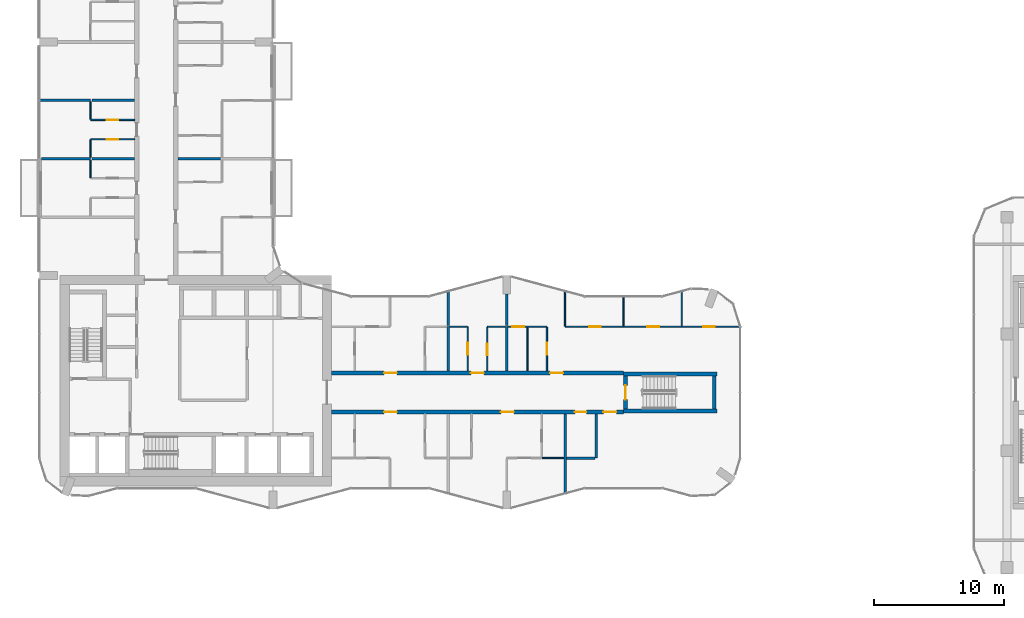
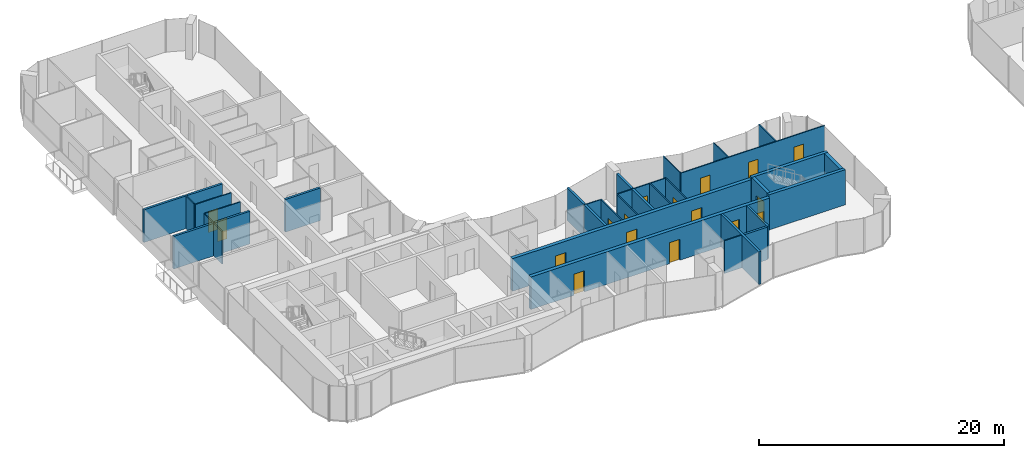
# One storey, part 15 of 23: 35 walls, 17 doors, 17 openings.
"""IFC4 building model written with IfcOpenShell, lengths in metres."""

from ifc_helpers import new_model, si_unit, direction, frame, frame_2d, origin, place, context, subcontext, project, spatial, rectangle, extrude, material, layer, layer_set, type_object, element, fill, save


model = new_model("IFC4")

# Units and contexts
model_context = context("Model", 3, precision=1e-05, world=origin(), true_north=direction((0.0, 1.0)))
body_context = subcontext(model_context, "Body", "Model", "MODEL_VIEW")
ifc_project = project(units=[si_unit("LENGTHUNIT", "METRE"), si_unit("AREAUNIT", "SQUARE_METRE"), si_unit("VOLUMEUNIT", "CUBIC_METRE"), si_unit("PLANEANGLEUNIT", "RADIAN"), si_unit("MASSUNIT", "GRAM", prefix="KILO")], contexts=[model_context])

# Site, building, storey
site_placement = place(None, origin())
site = spatial("IfcSite", under=ifc_project, at=site_placement, CompositionType="ELEMENT")
building_placement = place(site_placement, origin())
building = spatial("IfcBuilding", under=site, at=building_placement, Name="Plateau Cross Towers", CompositionType="ELEMENT")
storey_placement = place(building_placement, frame((0.0, 0.0, 85.300048828125)))
storey = spatial("IfcBuildingStorey", under=building, at=storey_placement, Name="L21", CompositionType="ELEMENT", Elevation=85.300048828125)

# Wall, openings, doors
ifc_material_1 = material(Name="Concrete C60/75", Category="concrete")
ifc_layer_1 = layer(ifc_material_1, 0.324951171875)
ifc_layer_set_1 = layer_set([ifc_layer_1], Name="Concrete C60/75")
wall_type_1 = type_object("IfcWallType", Name="Corridor wall 325", PredefinedType="SHEAR", material=ifc_layer_set_1)
wall_1_placement = place(storey_placement, frame((22.5, 7.5, 0.0), z_axis=(0.0, 0.0, 1.0), x_axis=(1.0, 0.0, 0.0)))
wall_1 = element("IfcWall", 1, at=wall_1_placement, inside=storey, type_object=wall_type_1, Name="A-cw-S1@L21", PredefinedType="SHEAR", context=body_context, shape_type="SweptSolid", body=[
    extrude(rectangle(XDim=22.5, YDim=0.324951171875, at=frame_2d((11.25, 0.0))), origin(), (0.0, 0.0, 1.0), 3.25),
])
opening_1_placement = place(wall_1_placement, frame((4.050048828125, 0.0, 0.0)))
opening_1 = element("IfcOpeningElement", 2, at=opening_1_placement, cuts=wall_1, Name="Opening 21-01", PredefinedType="OPENING", context=body_context, shape_type="SweptSolid", body=[
    extrude(rectangle(XDim=1.0, YDim=2.10009765625, at=frame_2d((0.5, 1.050048828125))), frame((0.0, 0.17236328125, 0.0), z_axis=(0.0, -1.0, 0.0), x_axis=(1.0, 0.0, 0.0)), (0.0, 0.0, 1.0), 0.344970703125),
])
opening_2_placement = place(wall_1_placement, frame((13.050048828125, 0.0, 0.0)))
opening_2 = element("IfcOpeningElement", 3, at=opening_2_placement, cuts=wall_1, Name="Opening 21-02", PredefinedType="OPENING", context=body_context, shape_type="SweptSolid", body=[
    extrude(rectangle(XDim=1.0, YDim=2.10009765625, at=frame_2d((0.5, 1.050048828125))), frame((0.0, 0.17236328125, 0.0), z_axis=(0.0, -1.0, 0.0), x_axis=(1.0, 0.0, 0.0)), (0.0, 0.0, 1.0), 0.344970703125),
])
opening_3_placement = place(wall_1_placement, frame((18.75, 0.0, 0.0)))
opening_3 = element("IfcOpeningElement", 4, at=opening_3_placement, cuts=wall_1, Name="Opening 21-03", PredefinedType="OPENING", context=body_context, shape_type="SweptSolid", body=[
    extrude(rectangle(XDim=0.89990234375, YDim=2.10009765625, at=frame_2d((0.449951171875, 1.050048828125))), frame((0.0, 0.17236328125, 0.0), z_axis=(0.0, -1.0, 0.0), x_axis=(1.0, 0.0, 0.0)), (0.0, 0.0, 1.0), 0.344970703125),
])
opening_4_placement = place(wall_1_placement, frame((20.949951171875, 0.0, 0.0)))
opening_4 = element("IfcOpeningElement", 5, at=opening_4_placement, cuts=wall_1, Name="Opening 21-04", PredefinedType="OPENING", context=body_context, shape_type="SweptSolid", body=[
    extrude(rectangle(XDim=1.0, YDim=2.10009765625, at=frame_2d((0.5, 1.050048828125))), frame((0.0, 0.17236328125, 0.0), z_axis=(0.0, -1.0, 0.0), x_axis=(1.0, 0.0, 0.0)), (0.0, 0.0, 1.0), 0.344970703125),
])
ifc_material_2 = material(Name="Timber, fire-resisting leaf", Category="wood")
door_type_1 = type_object("IfcDoorType", Name="Flat entrance door 1000", OperationType="NOTDEFINED", PredefinedType="DOOR", material=ifc_material_2)
door_1_placement = place(opening_1_placement, origin())
door_1 = element("IfcDoor", 6, at=door_1_placement, inside=storey, type_object=door_type_1, Name="Door 21-01", OperationType="SINGLE_SWING_LEFT", OverallHeight=2.10009765625, OverallWidth=1.0, PredefinedType="DOOR", context=body_context, shape_type="SweptSolid", body=[
    extrude(rectangle(XDim=1.0, YDim=2.10009765625, at=frame_2d((0.5, 1.050048828125))), frame((0.0, 0.02490234375, 0.0), z_axis=(0.0, -1.0, 0.0), x_axis=(1.0, 0.0, 0.0)), (0.0, 0.0, 1.0), 0.050048828125),
])
fill(opening_1, door_1)
door_2_placement = place(opening_2_placement, origin())
door_2 = element("IfcDoor", 7, at=door_2_placement, inside=storey, type_object=door_type_1, Name="Door 21-02", OperationType="SINGLE_SWING_RIGHT", OverallHeight=2.10009765625, OverallWidth=1.0, PredefinedType="DOOR", context=body_context, shape_type="SweptSolid", body=[
    extrude(rectangle(XDim=1.0, YDim=2.10009765625, at=frame_2d((0.5, 1.050048828125))), frame((0.0, 0.02490234375, 0.0), z_axis=(0.0, -1.0, 0.0), x_axis=(1.0, 0.0, 0.0)), (0.0, 0.0, 1.0), 0.050048828125),
])
fill(opening_2, door_2)
door_3_placement = place(opening_4_placement, origin())
door_3 = element("IfcDoor", 8, at=door_3_placement, inside=storey, type_object=door_type_1, Name="Door 21-04", OperationType="SINGLE_SWING_RIGHT", OverallHeight=2.10009765625, OverallWidth=1.0, PredefinedType="DOOR", context=body_context, shape_type="SweptSolid", body=[
    extrude(rectangle(XDim=1.0, YDim=2.10009765625, at=frame_2d((0.5, 1.050048828125))), frame((0.0, 0.02490234375, 0.0), z_axis=(0.0, -1.0, 0.0), x_axis=(1.0, 0.0, 0.0)), (0.0, 0.0, 1.0), 0.050048828125),
])
fill(opening_4, door_3)
door_type_2 = type_object("IfcDoorType", Name="Flat floor service door 900", OperationType="NOTDEFINED", PredefinedType="DOOR", material=ifc_material_2)
door_4_placement = place(opening_3_placement, origin())
door_4 = element("IfcDoor", 9, at=door_4_placement, inside=storey, type_object=door_type_2, Name="Door 21-03", OperationType="SINGLE_SWING_RIGHT", OverallHeight=2.10009765625, OverallWidth=0.89990234375, PredefinedType="DOOR", context=body_context, shape_type="SweptSolid", body=[
    extrude(rectangle(XDim=0.89990234375, YDim=2.10009765625, at=frame_2d((0.449951171875, 1.050048828125))), frame((0.0, 0.02490234375, 0.0), z_axis=(0.0, -1.0, 0.0), x_axis=(1.0, 0.0, 0.0)), (0.0, 0.0, 1.0), 0.050048828125),
])
fill(opening_3, door_4)

wall_2_placement = place(storey_placement, frame((22.5, 10.5, 0.0), z_axis=(0.0, 0.0, 1.0), x_axis=(1.0, 0.0, 0.0)))
wall_2 = element("IfcWall", 10, at=wall_2_placement, inside=storey, type_object=wall_type_1, Name="A-cw-S2@L21", PredefinedType="SHEAR", context=body_context, shape_type="SweptSolid", body=[
    extrude(rectangle(XDim=22.5, YDim=0.324951171875, at=frame_2d((11.25, 0.0))), origin(), (0.0, 0.0, 1.0), 3.25),
])
opening_5_placement = place(wall_2_placement, frame((4.050048828125, 0.0, 0.0)))
opening_5 = element("IfcOpeningElement", 11, at=opening_5_placement, cuts=wall_2, Name="Opening 21-05", PredefinedType="OPENING", context=body_context, shape_type="SweptSolid", body=[
    extrude(rectangle(XDim=1.0, YDim=2.10009765625, at=frame_2d((0.5, 1.050048828125))), frame((0.0, 0.17236328125, 0.0), z_axis=(0.0, -1.0, 0.0), x_axis=(1.0, 0.0, 0.0)), (0.0, 0.0, 1.0), 0.344970703125),
])
opening_6_placement = place(wall_2_placement, frame((10.75, 0.0, 0.0)))
opening_6 = element("IfcOpeningElement", 12, at=opening_6_placement, cuts=wall_2, Name="Opening 21-06", PredefinedType="OPENING", context=body_context, shape_type="SweptSolid", body=[
    extrude(rectangle(XDim=1.0, YDim=2.10009765625, at=frame_2d((0.5, 1.050048828125))), frame((0.0, 0.17236328125, 0.0), z_axis=(0.0, -1.0, 0.0), x_axis=(1.0, 0.0, 0.0)), (0.0, 0.0, 1.0), 0.344970703125),
])
opening_7_placement = place(wall_2_placement, frame((16.85009765625, 0.0, 0.0)))
opening_7 = element("IfcOpeningElement", 13, at=opening_7_placement, cuts=wall_2, Name="Opening 21-07", PredefinedType="OPENING", context=body_context, shape_type="SweptSolid", body=[
    extrude(rectangle(XDim=1.0, YDim=2.10009765625, at=frame_2d((0.5, 1.050048828125))), frame((0.0, 0.17236328125, 0.0), z_axis=(0.0, -1.0, 0.0), x_axis=(1.0, 0.0, 0.0)), (0.0, 0.0, 1.0), 0.344970703125),
])
door_5_placement = place(opening_5_placement, origin())
door_5 = element("IfcDoor", 14, at=door_5_placement, inside=storey, type_object=door_type_1, Name="Door 21-05", OperationType="SINGLE_SWING_LEFT", OverallHeight=2.10009765625, OverallWidth=1.0, PredefinedType="DOOR", context=body_context, shape_type="SweptSolid", body=[
    extrude(rectangle(XDim=1.0, YDim=2.10009765625, at=frame_2d((0.5, 1.050048828125))), frame((0.0, 0.02490234375, 0.0), z_axis=(0.0, -1.0, 0.0), x_axis=(1.0, 0.0, 0.0)), (0.0, 0.0, 1.0), 0.050048828125),
])
fill(opening_5, door_5)
door_6_placement = place(opening_6_placement, origin())
door_6 = element("IfcDoor", 15, at=door_6_placement, inside=storey, type_object=door_type_1, Name="Door 21-06", OperationType="SINGLE_SWING_LEFT", OverallHeight=2.10009765625, OverallWidth=1.0, PredefinedType="DOOR", context=body_context, shape_type="SweptSolid", body=[
    extrude(rectangle(XDim=1.0, YDim=2.10009765625, at=frame_2d((0.5, 1.050048828125))), frame((0.0, 0.02490234375, 0.0), z_axis=(0.0, -1.0, 0.0), x_axis=(1.0, 0.0, 0.0)), (0.0, 0.0, 1.0), 0.050048828125),
])
fill(opening_6, door_6)
door_7_placement = place(opening_7_placement, origin())
door_7 = element("IfcDoor", 16, at=door_7_placement, inside=storey, type_object=door_type_1, Name="Door 21-07", OperationType="SINGLE_SWING_RIGHT", OverallHeight=2.10009765625, OverallWidth=1.0, PredefinedType="DOOR", context=body_context, shape_type="SweptSolid", body=[
    extrude(rectangle(XDim=1.0, YDim=2.10009765625, at=frame_2d((0.5, 1.050048828125))), frame((0.0, 0.02490234375, 0.0), z_axis=(0.0, -1.0, 0.0), x_axis=(1.0, 0.0, 0.0)), (0.0, 0.0, 1.0), 0.050048828125),
])
fill(opening_7, door_7)

# Walls
ifc_material_3 = material(Name="Gypsum board on steel studs", Category="steel")
ifc_layer_2 = layer(ifc_material_3, 0.10009765625)
ifc_layer_set_2 = layer_set([ifc_layer_2], Name="Gypsum board on steel studs")
wall_type_2 = type_object("IfcWallType", Name="Flat partition 100", PredefinedType="PARTITIONING", material=ifc_layer_set_2)
wall_3_placement = place(storey_placement, frame((38.75, 3.9375, 0.0), z_axis=(0.0, 0.0, 1.0), x_axis=(1.0, 0.0, 0.0)))
element("IfcWall", 17, at=wall_3_placement, inside=storey, type_object=wall_type_2, Name="Partition wall", PredefinedType="PARTITIONING", context=body_context, shape_type="SweptSolid", body=[
    extrude(rectangle(XDim=1.64990234375, YDim=0.10009765625, at=frame_2d((0.824951171875, 0.0))), origin(), (0.0, 0.0, 1.0), 3.25),
])
wall_4_placement = place(storey_placement, frame((32.949951171875, 14.0625, 0.0), z_axis=(0.0, 0.0, 1.0), x_axis=(-1.0, 0.0, 0.0)))
element("IfcWall", 18, at=wall_4_placement, inside=storey, type_object=wall_type_2, Name="Partition wall", PredefinedType="PARTITIONING", context=body_context, shape_type="SweptSolid", body=[
    extrude(rectangle(XDim=1.349853515625, YDim=0.10009765625, at=frame_2d((0.6748046875, 0.0))), origin(), (0.0, 0.0, 1.0), 3.25),
])
wall_5_placement = place(storey_placement, frame((35.89990234375, 14.0625, 0.0), z_axis=(0.0, 0.0, 1.0), x_axis=(-1.0, 0.0, 0.0)))
element("IfcWall", 19, at=wall_5_placement, inside=storey, type_object=wall_type_2, Name="Partition wall", PredefinedType="PARTITIONING", context=body_context, shape_type="SweptSolid", body=[
    extrude(rectangle(XDim=1.39990234375, YDim=0.10009765625, at=frame_2d((0.699951171875, 0.0))), origin(), (0.0, 0.0, 1.0), 3.25),
])

# Wall, opening, door
wall_6_placement = place(storey_placement, frame((39.10009765625, 14.0625, 0.0), z_axis=(0.0, 0.0, 1.0), x_axis=(-1.0, 0.0, 0.0)))
wall_6 = element("IfcWall", 20, at=wall_6_placement, inside=storey, type_object=wall_type_2, Name="Partition wall", PredefinedType="PARTITIONING", context=body_context, shape_type="SweptSolid", body=[
    extrude(rectangle(XDim=3.0, YDim=0.10009765625, at=frame_2d((1.5, 0.0))), origin(), (0.0, 0.0, 1.0), 3.25),
])
opening_8_placement = place(wall_6_placement, frame((1.75, 0.0, 0.0)))
opening_8 = element("IfcOpeningElement", 21, at=opening_8_placement, cuts=wall_6, Name="Opening 21-29", PredefinedType="OPENING", context=body_context, shape_type="SweptSolid", body=[
    extrude(rectangle(XDim=0.89990234375, YDim=2.10009765625, at=frame_2d((0.449951171875, 1.050048828125))), frame((0.0, 0.06005859375, 0.0), z_axis=(0.0, -1.0, 0.0), x_axis=(1.0, 0.0, 0.0)), (0.0, 0.0, 1.0), 0.1201171875),
])
ifc_material_4 = material(Name="Timber leaf", Category="wood")
door_type_3 = type_object("IfcDoorType", Name="Flat room door 900", OperationType="NOTDEFINED", PredefinedType="DOOR", material=ifc_material_4)
door_8_placement = place(opening_8_placement, origin())
door_8 = element("IfcDoor", 22, at=door_8_placement, inside=storey, type_object=door_type_3, Name="Door 21-29", OperationType="SINGLE_SWING_RIGHT", OverallHeight=2.10009765625, OverallWidth=0.89990234375, PredefinedType="DOOR", context=body_context, shape_type="SweptSolid", body=[
    extrude(rectangle(XDim=0.89990234375, YDim=2.10009765625, at=frame_2d((0.449951171875, 1.050048828125))), frame((0.0, 0.02490234375, 0.0), z_axis=(0.0, -1.0, 0.0), x_axis=(1.0, 0.0, 0.0)), (0.0, 0.0, 1.0), 0.050048828125),
])
fill(opening_8, door_8)

# Wall, openings, doors
wall_7_placement = place(storey_placement, frame((40.5, 14.0625, 0.0), z_axis=(0.0, 0.0, 1.0), x_axis=(1.0, 0.0, 0.0)))
wall_7 = element("IfcWall", 23, at=wall_7_placement, inside=storey, type_object=wall_type_2, Name="Partition wall", PredefinedType="PARTITIONING", context=body_context, shape_type="SweptSolid", body=[
    extrude(rectangle(XDim=13.580078125, YDim=0.10009765625, at=frame_2d((6.7900390625, 0.0))), origin(), (0.0, 0.0, 1.0), 3.25),
])
opening_9_placement = place(wall_7_placement, frame((1.85009765625, 0.0, 0.0)))
opening_9 = element("IfcOpeningElement", 24, at=opening_9_placement, cuts=wall_7, Name="Opening 21-31", PredefinedType="OPENING", context=body_context, shape_type="SweptSolid", body=[
    extrude(rectangle(XDim=0.89990234375, YDim=2.10009765625, at=frame_2d((0.449951171875, 1.050048828125))), frame((0.0, 0.06005859375, 0.0), z_axis=(0.0, -1.0, 0.0), x_axis=(1.0, 0.0, 0.0)), (0.0, 0.0, 1.0), 0.1201171875),
])
opening_10_placement = place(wall_7_placement, frame((6.35009765625, 0.0, 0.0)))
opening_10 = element("IfcOpeningElement", 25, at=opening_10_placement, cuts=wall_7, Name="Opening 21-32", PredefinedType="OPENING", context=body_context, shape_type="SweptSolid", body=[
    extrude(rectangle(XDim=0.89990234375, YDim=2.10009765625, at=frame_2d((0.449951171875, 1.050048828125))), frame((0.0, 0.06005859375, 0.0), z_axis=(0.0, -1.0, 0.0), x_axis=(1.0, 0.0, 0.0)), (0.0, 0.0, 1.0), 0.1201171875),
])
opening_11_placement = place(wall_7_placement, frame((10.64990234375, 0.0, 0.0)))
opening_11 = element("IfcOpeningElement", 26, at=opening_11_placement, cuts=wall_7, Name="Opening 21-33", PredefinedType="OPENING", context=body_context, shape_type="SweptSolid", body=[
    extrude(rectangle(XDim=0.89990234375, YDim=2.10009765625, at=frame_2d((0.449951171875, 1.050048828125))), frame((0.0, 0.06005859375, 0.0), z_axis=(0.0, -1.0, 0.0), x_axis=(1.0, 0.0, 0.0)), (0.0, 0.0, 1.0), 0.1201171875),
])
door_9_placement = place(opening_9_placement, origin())
door_9 = element("IfcDoor", 27, at=door_9_placement, inside=storey, type_object=door_type_3, Name="Door 21-31", OperationType="SINGLE_SWING_LEFT", OverallHeight=2.10009765625, OverallWidth=0.89990234375, PredefinedType="DOOR", context=body_context, shape_type="SweptSolid", body=[
    extrude(rectangle(XDim=0.89990234375, YDim=2.10009765625, at=frame_2d((0.449951171875, 1.050048828125))), frame((0.0, 0.02490234375, 0.0), z_axis=(0.0, -1.0, 0.0), x_axis=(1.0, 0.0, 0.0)), (0.0, 0.0, 1.0), 0.050048828125),
])
fill(opening_9, door_9)
door_10_placement = place(opening_10_placement, origin())
door_10 = element("IfcDoor", 28, at=door_10_placement, inside=storey, type_object=door_type_3, Name="Door 21-32", OperationType="SINGLE_SWING_RIGHT", OverallHeight=2.10009765625, OverallWidth=0.89990234375, PredefinedType="DOOR", context=body_context, shape_type="SweptSolid", body=[
    extrude(rectangle(XDim=0.89990234375, YDim=2.10009765625, at=frame_2d((0.449951171875, 1.050048828125))), frame((0.0, 0.02490234375, 0.0), z_axis=(0.0, -1.0, 0.0), x_axis=(1.0, 0.0, 0.0)), (0.0, 0.0, 1.0), 0.050048828125),
])
fill(opening_10, door_10)
door_11_placement = place(opening_11_placement, origin())
door_11 = element("IfcDoor", 29, at=door_11_placement, inside=storey, type_object=door_type_3, Name="Door 21-33", OperationType="SINGLE_SWING_RIGHT", OverallHeight=2.10009765625, OverallWidth=0.89990234375, PredefinedType="DOOR", context=body_context, shape_type="SweptSolid", body=[
    extrude(rectangle(XDim=0.89990234375, YDim=2.10009765625, at=frame_2d((0.449951171875, 1.050048828125))), frame((0.0, 0.02490234375, 0.0), z_axis=(0.0, -1.0, 0.0), x_axis=(1.0, 0.0, 0.0)), (0.0, 0.0, 1.0), 0.050048828125),
])
fill(opening_11, door_11)

# Wall, opening, door
wall_8_placement = place(storey_placement, frame((7.33740234375, 28.5, 0.0), z_axis=(0.0, 0.0, 1.0), x_axis=(-1.0, 0.0, 0.0)))
wall_8 = element("IfcWall", 30, at=wall_8_placement, inside=storey, type_object=wall_type_2, Name="Partition wall", PredefinedType="PARTITIONING", context=body_context, shape_type="SweptSolid", body=[
    extrude(rectangle(XDim=3.39990234375, YDim=0.10009765625, at=frame_2d((1.699951171875, 0.0))), origin(), (0.0, 0.0, 1.0), 3.25),
])
opening_12_placement = place(wall_8_placement, frame((1.25, 0.0, 0.0)))
opening_12 = element("IfcOpeningElement", 31, at=opening_12_placement, cuts=wall_8, Name="Opening 21-36", PredefinedType="OPENING", context=body_context, shape_type="SweptSolid", body=[
    extrude(rectangle(XDim=0.89990234375, YDim=2.10009765625, at=frame_2d((0.449951171875, 1.050048828125))), frame((0.0, 0.06005859375, 0.0), z_axis=(0.0, -1.0, 0.0), x_axis=(1.0, 0.0, 0.0)), (0.0, 0.0, 1.0), 0.1201171875),
])
door_12_placement = place(opening_12_placement, origin())
door_12 = element("IfcDoor", 32, at=door_12_placement, inside=storey, type_object=door_type_3, Name="Door 21-36", OperationType="SINGLE_SWING_LEFT", OverallHeight=2.10009765625, OverallWidth=0.89990234375, PredefinedType="DOOR", context=body_context, shape_type="SweptSolid", body=[
    extrude(rectangle(XDim=0.89990234375, YDim=2.10009765625, at=frame_2d((0.449951171875, 1.050048828125))), frame((0.0, 0.02490234375, 0.0), z_axis=(0.0, -1.0, 0.0), x_axis=(1.0, 0.0, 0.0)), (0.0, 0.0, 1.0), 0.050048828125),
])
fill(opening_12, door_12)

wall_9_placement = place(storey_placement, frame((3.9375, 30.0, 0.0), z_axis=(0.0, 0.0, 1.0), x_axis=(1.0, 0.0, 0.0)))
wall_9 = element("IfcWall", 33, at=wall_9_placement, inside=storey, type_object=wall_type_2, Name="Partition wall", PredefinedType="PARTITIONING", context=body_context, shape_type="SweptSolid", body=[
    extrude(rectangle(XDim=3.39990234375, YDim=0.10009765625, at=frame_2d((1.699951171875, 0.0))), origin(), (0.0, 0.0, 1.0), 3.25),
])
opening_13_placement = place(wall_9_placement, frame((1.25, 0.0, 0.0)))
opening_13 = element("IfcOpeningElement", 34, at=opening_13_placement, cuts=wall_9, Name="Opening 21-37", PredefinedType="OPENING", context=body_context, shape_type="SweptSolid", body=[
    extrude(rectangle(XDim=0.89990234375, YDim=2.10009765625, at=frame_2d((0.449951171875, 1.050048828125))), frame((0.0, 0.06005859375, 0.0), z_axis=(0.0, -1.0, 0.0), x_axis=(1.0, 0.0, 0.0)), (0.0, 0.0, 1.0), 0.1201171875),
])
door_13_placement = place(opening_13_placement, origin())
door_13 = element("IfcDoor", 35, at=door_13_placement, inside=storey, type_object=door_type_3, Name="Door 21-37", OperationType="SINGLE_SWING_LEFT", OverallHeight=2.10009765625, OverallWidth=0.89990234375, PredefinedType="DOOR", context=body_context, shape_type="SweptSolid", body=[
    extrude(rectangle(XDim=0.89990234375, YDim=2.10009765625, at=frame_2d((0.449951171875, 1.050048828125))), frame((0.0, 0.02490234375, 0.0), z_axis=(0.0, -1.0, 0.0), x_axis=(1.0, 0.0, 0.0)), (0.0, 0.0, 1.0), 0.050048828125),
])
fill(opening_13, door_13)

# Walls
for number, where, z_axis, x_axis, name in (
    (36, (3.9375, 26.89990234375, 0.0), (0.0, 0.0, 1.0), (0.0, -1.0, 0.0), "Partition wall"),
    (37, (3.9375, 28.449951171875, 0.0), (0.0, 0.0, 1.0), (0.0, -1.0, 0.0), "Partition wall"),
    (38, (3.9375, 31.39990234375, 0.0), (0.0, 0.0, 1.0), (0.0, -1.0, 0.0), "Partition wall"),
):
    element("IfcWall", number, at=place(storey_placement, frame(where, z_axis=z_axis, x_axis=x_axis)), inside=storey, type_object=wall_type_2, Name=name, PredefinedType="PARTITIONING", context=body_context, shape_type="SweptSolid", body=[
        extrude(rectangle(XDim=1.349853515625, YDim=0.10009765625, at=frame_2d((0.6748046875, 0.0))), origin(), (0.0, 0.0, 1.0), 3.25),
    ])

# Wall, opening, door
wall_10_placement = place(storey_placement, frame((33.0, 10.66259765625, 0.0), z_axis=(0.0, 0.0, 1.0), x_axis=(0.0, 1.0, 0.0)))
wall_10 = element("IfcWall", 39, at=wall_10_placement, inside=storey, type_object=wall_type_2, Name="Partition wall", PredefinedType="PARTITIONING", context=body_context, shape_type="SweptSolid", body=[
    extrude(rectangle(XDim=3.39990234375, YDim=0.10009765625, at=frame_2d((1.699951171875, 0.0))), origin(), (0.0, 0.0, 1.0), 3.25),
])
opening_14_placement = place(wall_10_placement, frame((1.25, 0.0, 0.0)))
opening_14 = element("IfcOpeningElement", 40, at=opening_14_placement, cuts=wall_10, Name="Opening 21-27", PredefinedType="OPENING", context=body_context, shape_type="SweptSolid", body=[
    extrude(rectangle(XDim=0.89990234375, YDim=2.10009765625, at=frame_2d((0.449951171875, 1.050048828125))), frame((0.0, 0.06005859375, 0.0), z_axis=(0.0, -1.0, 0.0), x_axis=(1.0, 0.0, 0.0)), (0.0, 0.0, 1.0), 0.1201171875),
])
door_14_placement = place(opening_14_placement, origin())
door_14 = element("IfcDoor", 41, at=door_14_placement, inside=storey, type_object=door_type_3, Name="Door 21-27", OperationType="SINGLE_SWING_LEFT", OverallHeight=2.10009765625, OverallWidth=0.89990234375, PredefinedType="DOOR", context=body_context, shape_type="SweptSolid", body=[
    extrude(rectangle(XDim=0.89990234375, YDim=2.10009765625, at=frame_2d((0.449951171875, 1.050048828125))), frame((0.0, 0.02490234375, 0.0), z_axis=(0.0, -1.0, 0.0), x_axis=(1.0, 0.0, 0.0)), (0.0, 0.0, 1.0), 0.050048828125),
])
fill(opening_14, door_14)

wall_11_placement = place(storey_placement, frame((34.5, 14.012451171875, 0.0), z_axis=(0.0, 0.0, 1.0), x_axis=(0.0, -1.0, 0.0)))
wall_11 = element("IfcWall", 42, at=wall_11_placement, inside=storey, type_object=wall_type_2, Name="Partition wall", PredefinedType="PARTITIONING", context=body_context, shape_type="SweptSolid", body=[
    extrude(rectangle(XDim=3.349853515625, YDim=0.10009765625, at=frame_2d((1.6748046875, 0.0))), origin(), (0.0, 0.0, 1.0), 3.25),
])
opening_15_placement = place(wall_11_placement, frame((1.25, 0.0, 0.0)))
opening_15 = element("IfcOpeningElement", 43, at=opening_15_placement, cuts=wall_11, Name="Opening 21-28", PredefinedType="OPENING", context=body_context, shape_type="SweptSolid", body=[
    extrude(rectangle(XDim=0.89990234375, YDim=2.10009765625, at=frame_2d((0.449951171875, 1.050048828125))), frame((0.0, 0.06005859375, 0.0), z_axis=(0.0, -1.0, 0.0), x_axis=(1.0, 0.0, 0.0)), (0.0, 0.0, 1.0), 0.1201171875),
])
door_15_placement = place(opening_15_placement, origin())
door_15 = element("IfcDoor", 44, at=door_15_placement, inside=storey, type_object=door_type_3, Name="Door 21-28", OperationType="SINGLE_SWING_RIGHT", OverallHeight=2.10009765625, OverallWidth=0.89990234375, PredefinedType="DOOR", context=body_context, shape_type="SweptSolid", body=[
    extrude(rectangle(XDim=0.89990234375, YDim=2.10009765625, at=frame_2d((0.449951171875, 1.050048828125))), frame((0.0, 0.02490234375, 0.0), z_axis=(0.0, -1.0, 0.0), x_axis=(1.0, 0.0, 0.0)), (0.0, 0.0, 1.0), 0.050048828125),
])
fill(opening_15, door_15)

# Wall
wall_12_placement = place(storey_placement, frame((37.60009765625, 10.66259765625, 0.0), z_axis=(0.0, 0.0, 1.0), x_axis=(0.0, 1.0, 0.0)))
element("IfcWall", 45, at=wall_12_placement, inside=storey, type_object=wall_type_2, Name="Partition wall", PredefinedType="PARTITIONING", context=body_context, shape_type="SweptSolid", body=[
    extrude(rectangle(XDim=3.349853515625, YDim=0.10009765625, at=frame_2d((1.6748046875, 0.0))), origin(), (0.0, 0.0, 1.0), 3.25),
])

# Wall, opening, door
wall_13_placement = place(storey_placement, frame((39.10009765625, 10.66259765625, 0.0), z_axis=(0.0, 0.0, 1.0), x_axis=(0.0, 1.0, 0.0)))
wall_13 = element("IfcWall", 46, at=wall_13_placement, inside=storey, type_object=wall_type_2, Name="Partition wall", PredefinedType="PARTITIONING", context=body_context, shape_type="SweptSolid", body=[
    extrude(rectangle(XDim=3.349853515625, YDim=0.10009765625, at=frame_2d((1.6748046875, 0.0))), origin(), (0.0, 0.0, 1.0), 3.25),
])
opening_16_placement = place(wall_13_placement, frame((1.25, 0.0, 0.0)))
opening_16 = element("IfcOpeningElement", 47, at=opening_16_placement, cuts=wall_13, Name="Opening 21-30", PredefinedType="OPENING", context=body_context, shape_type="SweptSolid", body=[
    extrude(rectangle(XDim=0.89990234375, YDim=2.10009765625, at=frame_2d((0.449951171875, 1.050048828125))), frame((0.0, 0.06005859375, 0.0), z_axis=(0.0, -1.0, 0.0), x_axis=(1.0, 0.0, 0.0)), (0.0, 0.0, 1.0), 0.1201171875),
])
door_16_placement = place(opening_16_placement, origin())
door_16 = element("IfcDoor", 48, at=door_16_placement, inside=storey, type_object=door_type_3, Name="Door 21-30", OperationType="SINGLE_SWING_RIGHT", OverallHeight=2.10009765625, OverallWidth=0.89990234375, PredefinedType="DOOR", context=body_context, shape_type="SweptSolid", body=[
    extrude(rectangle(XDim=0.89990234375, YDim=2.10009765625, at=frame_2d((0.449951171875, 1.050048828125))), frame((0.0, 0.02490234375, 0.0), z_axis=(0.0, -1.0, 0.0), x_axis=(1.0, 0.0, 0.0)), (0.0, 0.0, 1.0), 0.050048828125),
])
fill(opening_16, door_16)

# Walls
wall_14_placement = place(storey_placement, frame((40.5, 16.877685546875, 0.0), z_axis=(0.0, 0.0, 1.0), x_axis=(0.0, -1.0, 0.0)))
element("IfcWall", 49, at=wall_14_placement, inside=storey, type_object=wall_type_2, Name="Partition wall", PredefinedType="PARTITIONING", context=body_context, shape_type="SweptSolid", body=[
    extrude(rectangle(XDim=2.76513671875, YDim=0.10009765625, at=frame_2d((1.382568359375, 0.0))), origin(), (0.0, 0.0, 1.0), 3.25),
])
wall_15_placement = place(storey_placement, frame((45.0, 14.112548828125, 0.0), z_axis=(0.0, 0.0, 1.0), x_axis=(0.0, 1.0, 0.0)))
element("IfcWall", 50, at=wall_15_placement, inside=storey, type_object=wall_type_2, Name="Partition wall", PredefinedType="PARTITIONING", context=body_context, shape_type="SweptSolid", body=[
    extrude(rectangle(XDim=2.360595703125, YDim=0.10009765625, at=frame_2d((1.18017578125, 0.0))), origin(), (0.0, 0.0, 1.0), 3.25),
])
wall_16_placement = place(storey_placement, frame((49.5, 14.112548828125, 0.0), z_axis=(0.0, 0.0, 1.0), x_axis=(0.0, 1.0, 0.0)))
element("IfcWall", 51, at=wall_16_placement, inside=storey, type_object=wall_type_2, Name="Partition wall", PredefinedType="PARTITIONING", context=body_context, shape_type="SweptSolid", body=[
    extrude(rectangle(XDim=2.76513671875, YDim=0.10009765625, at=frame_2d((1.382568359375, 0.0))), origin(), (0.0, 0.0, 1.0), 3.25),
])
ifc_material_5 = material(Name="Gypsum board on steel studs, two layers each side", Category="steel")
ifc_layer_3 = layer(ifc_material_5, 0.199951171875)
ifc_layer_set_3 = layer_set([ifc_layer_3], Name="Gypsum board on steel studs, two layers each side")
wall_type_3 = type_object("IfcWallType", Name="Flat party wall 200", PredefinedType="PARTITIONING", material=ifc_layer_set_3)
wall_17_placement = place(storey_placement, frame((40.60009765625, 3.9375, 0.0), z_axis=(0.0, 0.0, 1.0), x_axis=(1.0, 0.0, 0.0)))
element("IfcWall", 52, at=wall_17_placement, inside=storey, type_object=wall_type_3, Name="Party wall", PredefinedType="PARTITIONING", context=body_context, shape_type="SweptSolid", body=[
    extrude(rectangle(XDim=2.199951171875, YDim=0.199951171875, at=frame_2d((1.10009765625, 0.0))), origin(), (0.0, 0.0, 1.0), 3.25),
])
for number, where, z_axis, x_axis, name in (
    (53, (7.33740234375, 27.0, 0.0), (0.0, 0.0, 1.0), (-1.0, 0.0, 0.0), "Party wall"),
    (54, (13.96240234375, 27.0, 0.0), (0.0, 0.0, 1.0), (-1.0, 0.0, 0.0), "Party wall"),
):
    element("IfcWall", number, at=place(storey_placement, frame(where, z_axis=z_axis, x_axis=x_axis)), inside=storey, type_object=wall_type_3, Name=name, PredefinedType="PARTITIONING", context=body_context, shape_type="SweptSolid", body=[
        extrude(rectangle(XDim=3.2998046875, YDim=0.199951171875, at=frame_2d((1.64990234375, 0.0))), origin(), (0.0, 0.0, 1.0), 3.25),
    ])
wall_18_placement = place(storey_placement, frame((0.14990234375, 27.0, 0.0), z_axis=(0.0, 0.0, 1.0), x_axis=(1.0, 0.0, 0.0)))
element("IfcWall", 55, at=wall_18_placement, inside=storey, type_object=wall_type_3, Name="Party wall", PredefinedType="PARTITIONING", context=body_context, shape_type="SweptSolid", body=[
    extrude(rectangle(XDim=3.78759765625, YDim=0.199951171875, at=frame_2d((1.893798828125, 0.0))), origin(), (0.0, 0.0, 1.0), 3.25),
])
wall_19_placement = place(storey_placement, frame((7.33740234375, 31.5, 0.0), z_axis=(0.0, 0.0, 1.0), x_axis=(-1.0, 0.0, 0.0)))
element("IfcWall", 56, at=wall_19_placement, inside=storey, type_object=wall_type_3, Name="Party wall", PredefinedType="PARTITIONING", context=body_context, shape_type="SweptSolid", body=[
    extrude(rectangle(XDim=3.2998046875, YDim=0.199951171875, at=frame_2d((1.64990234375, 0.0))), origin(), (0.0, 0.0, 1.0), 3.25),
])
wall_20_placement = place(storey_placement, frame((-0.080078125, 31.5, 0.0), z_axis=(0.0, 0.0, 1.0), x_axis=(1.0, 0.0, 0.0)))
element("IfcWall", 57, at=wall_20_placement, inside=storey, type_object=wall_type_3, Name="Party wall", PredefinedType="PARTITIONING", context=body_context, shape_type="SweptSolid", body=[
    extrude(rectangle(XDim=4.017578125, YDim=0.199951171875, at=frame_2d((2.0087890625, 0.0))), origin(), (0.0, 0.0, 1.0), 3.25),
])
wall_21_placement = place(storey_placement, frame((31.5, 16.877685546875, 0.0), z_axis=(0.0, 0.0, 1.0), x_axis=(0.0, -1.0, 0.0)))
element("IfcWall", 58, at=wall_21_placement, inside=storey, type_object=wall_type_3, Name="Party wall", PredefinedType="PARTITIONING", context=body_context, shape_type="SweptSolid", body=[
    extrude(rectangle(XDim=2.715087890625, YDim=0.199951171875, at=frame_2d((1.357421875, 0.0))), origin(), (0.0, 0.0, 1.0), 3.25),
])
wall_22_placement = place(storey_placement, frame((31.5, 10.66259765625, 0.0), z_axis=(0.0, 0.0, 1.0), x_axis=(0.0, 1.0, 0.0)))
element("IfcWall", 59, at=wall_22_placement, inside=storey, type_object=wall_type_3, Name="Party wall", PredefinedType="PARTITIONING", context=body_context, shape_type="SweptSolid", body=[
    extrude(rectangle(XDim=3.39990234375, YDim=0.199951171875, at=frame_2d((1.699951171875, 0.0))), origin(), (0.0, 0.0, 1.0), 3.25),
])
wall_23_placement = place(storey_placement, frame((36.0, 16.60009765625, 0.0), z_axis=(0.0, 0.0, 1.0), x_axis=(0.0, -1.0, 0.0)))
element("IfcWall", 60, at=wall_23_placement, inside=storey, type_object=wall_type_3, Name="Party wall", PredefinedType="PARTITIONING", context=body_context, shape_type="SweptSolid", body=[
    extrude(rectangle(XDim=2.4375, YDim=0.199951171875, at=frame_2d((1.21875, 0.0))), origin(), (0.0, 0.0, 1.0), 3.25),
])
wall_24_placement = place(storey_placement, frame((36.0, 10.66259765625, 0.0), z_axis=(0.0, 0.0, 1.0), x_axis=(0.0, 1.0, 0.0)))
element("IfcWall", 61, at=wall_24_placement, inside=storey, type_object=wall_type_3, Name="Party wall", PredefinedType="PARTITIONING", context=body_context, shape_type="SweptSolid", body=[
    extrude(rectangle(XDim=3.39990234375, YDim=0.199951171875, at=frame_2d((1.699951171875, 0.0))), origin(), (0.0, 0.0, 1.0), 3.25),
])
wall_25_placement = place(storey_placement, frame((40.5, 1.122314453125, 0.0), z_axis=(0.0, 0.0, 1.0), x_axis=(0.0, 1.0, 0.0)))
element("IfcWall", 62, at=wall_25_placement, inside=storey, type_object=wall_type_3, Name="Party wall", PredefinedType="PARTITIONING", context=body_context, shape_type="SweptSolid", body=[
    extrude(rectangle(XDim=6.215087890625, YDim=0.199951171875, at=frame_2d((3.107421875, 0.0))), origin(), (0.0, 0.0, 1.0), 3.25),
])
wall_26_placement = place(storey_placement, frame((42.89990234375, 3.9375, 0.0), z_axis=(0.0, 0.0, 1.0), x_axis=(0.0, 1.0, 0.0)))
element("IfcWall", 63, at=wall_26_placement, inside=storey, type_object=wall_type_3, Name="Party wall", PredefinedType="PARTITIONING", context=body_context, shape_type="SweptSolid", body=[
    extrude(rectangle(XDim=3.39990234375, YDim=0.199951171875, at=frame_2d((1.699951171875, 0.0))), origin(), (0.0, 0.0, 1.0), 3.25),
])

# Wall, opening, door
ifc_layer_4 = layer(ifc_material_1, 0.300048828125)
ifc_layer_set_4 = layer_set([ifc_layer_4], Name="Concrete C60/75")
wall_type_4 = type_object("IfcWallType", Name="Stair tower wall 300", PredefinedType="SHEAR", material=ifc_layer_set_4)
wall_27_placement = place(storey_placement, frame((45.14990234375, 7.72509765625, 0.0), z_axis=(0.0, 0.0, 1.0), x_axis=(0.0, 1.0, 0.0)))
wall_27 = element("IfcWall", 64, at=wall_27_placement, inside=storey, type_object=wall_type_4, Name="A-end-E-W@L21", PredefinedType="SHEAR", context=body_context, shape_type="SweptSolid", body=[
    extrude(rectangle(XDim=2.5498046875, YDim=0.300048828125, at=frame_2d((1.27490234375, 0.0))), origin(), (0.0, 0.0, 1.0), 3.5),
])
opening_17_placement = place(wall_27_placement, frame((0.72509765625, 0.0, 0.0)))
opening_17 = element("IfcOpeningElement", 65, at=opening_17_placement, cuts=wall_27, Name="Opening SD", PredefinedType="OPENING", context=body_context, shape_type="SweptSolid", body=[
    extrude(rectangle(XDim=1.10009765625, YDim=2.10009765625, at=frame_2d((0.550048828125, 1.050048828125))), frame((0.0, 0.159912109375, 0.0), z_axis=(0.0, -1.0, 0.0), x_axis=(1.0, 0.0, 0.0)), (0.0, 0.0, 1.0), 0.320068359375),
])
ifc_material_6 = material(Name="Steel, fire-resisting leaf", Category="steel")
door_type_4 = type_object("IfcDoorType", Name="Stair door 1100", OperationType="NOTDEFINED", PredefinedType="DOOR", material=ifc_material_6)
door_17_placement = place(opening_17_placement, origin())
door_17 = element("IfcDoor", 66, at=door_17_placement, inside=storey, type_object=door_type_4, Name="Stair door SD", OperationType="SINGLE_SWING_LEFT", OverallHeight=2.10009765625, OverallWidth=1.10009765625, PredefinedType="DOOR", context=body_context, shape_type="SweptSolid", body=[
    extrude(rectangle(XDim=1.10009765625, YDim=2.10009765625, at=frame_2d((0.550048828125, 1.050048828125))), frame((0.0, 0.02490234375, 0.0), z_axis=(0.0, -1.0, 0.0), x_axis=(1.0, 0.0, 0.0)), (0.0, 0.0, 1.0), 0.050048828125),
])
fill(opening_17, door_17)

# Walls
wall_28_placement = place(storey_placement, frame((52.0, 7.72509765625, 0.0), z_axis=(0.0, 0.0, 1.0), x_axis=(0.0, 1.0, 0.0)))
element("IfcWall", 67, at=wall_28_placement, inside=storey, type_object=wall_type_4, Name="A-end-E-E@L21", PredefinedType="SHEAR", context=body_context, shape_type="SweptSolid", body=[
    extrude(rectangle(XDim=2.5498046875, YDim=0.300048828125, at=frame_2d((1.27490234375, 0.0))), origin(), (0.0, 0.0, 1.0), 3.5),
])
for number, where, z_axis, x_axis, name in (
    (68, (45.0, 7.574951171875, 0.0), (0.0, 0.0, 1.0), (1.0, 0.0, 0.0), "A-end-E-S@L21"),
    (69, (45.0, 10.425048828125, 0.0), (0.0, 0.0, 1.0), (1.0, 0.0, 0.0), "A-end-E-N@L21"),
):
    element("IfcWall", number, at=place(storey_placement, frame(where, z_axis=z_axis, x_axis=x_axis)), inside=storey, type_object=wall_type_4, Name=name, PredefinedType="SHEAR", context=body_context, shape_type="SweptSolid", body=[
        extrude(rectangle(XDim=7.199951171875, YDim=0.300048828125, at=frame_2d((3.60009765625, 0.0))), origin(), (0.0, 0.0, 1.0), 3.5),
    ])

save(model, "model.ifc")
